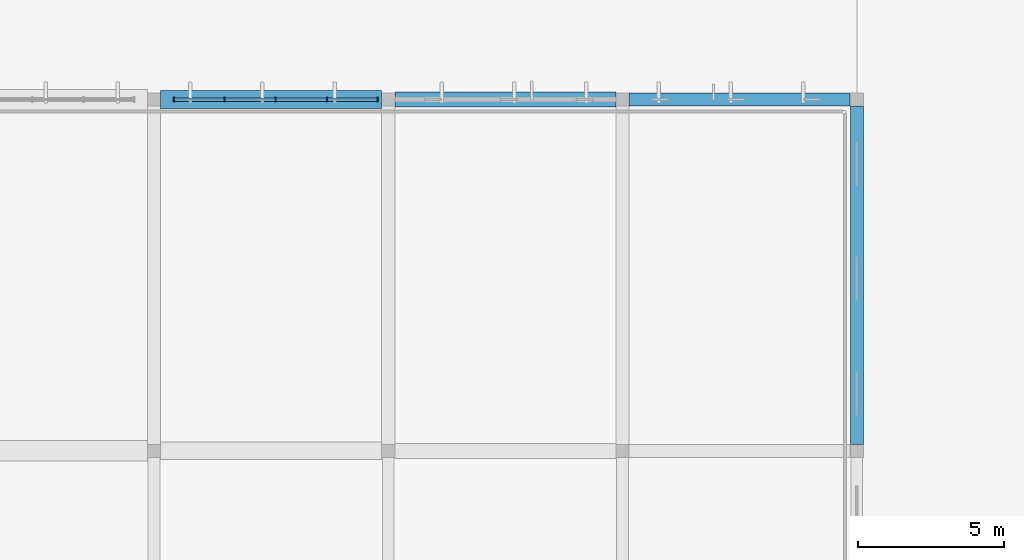
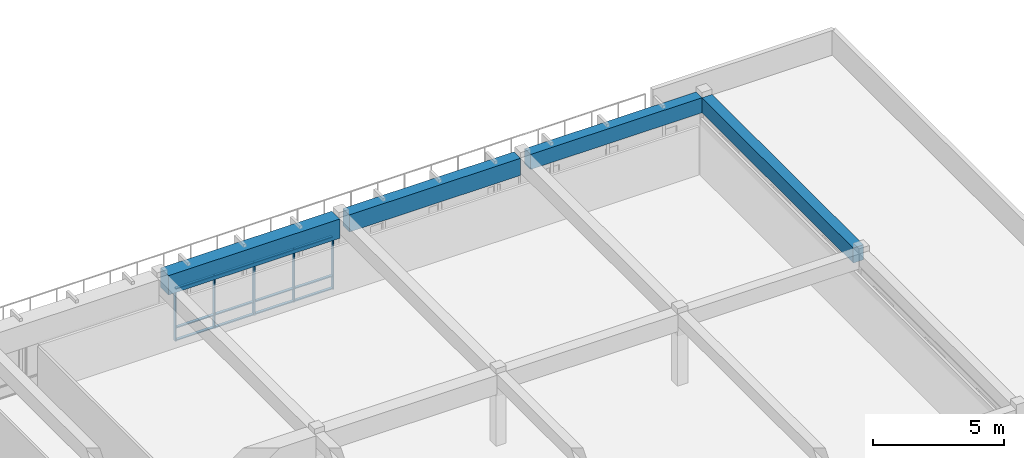
# One storey, part 27 of 77: 17 members, 4 beams, 1 element without a shape of its own.
"""IFC4 building model written with IfcOpenShell, lengths in metres."""

from ifc_helpers import new_model, si_unit, direction, frame, origin, origin_2d, place, context, subcontext, project, spatial, rectangle, extrude, material, material_profile, profile_set, type_object, element, aggregate, save


model = new_model("IFC4")

# Units and contexts
model_context = context("Model", 3, precision=1e-05, world=origin(), true_north=direction((0.0, 1.0)))
body_context = subcontext(model_context, "Body", "Model", "MODEL_VIEW")
ifc_project = project(units=[si_unit("LENGTHUNIT", "METRE"), si_unit("AREAUNIT", "SQUARE_METRE"), si_unit("VOLUMEUNIT", "CUBIC_METRE"), si_unit("PLANEANGLEUNIT", "RADIAN"), si_unit("MASSUNIT", "GRAM", prefix="KILO")], contexts=[model_context])

# Site, building, storey
site_placement = place(None, origin())
site = spatial("IfcSite", under=ifc_project, at=site_placement, CompositionType="ELEMENT")
building_placement = place(site_placement, origin())
building = spatial("IfcBuilding", under=site, at=building_placement, Name="Larkveld Mobility Hub", CompositionType="ELEMENT")
storey_placement = place(building_placement, frame((0.0, 0.0, 12.0)))
storey = spatial("IfcBuildingStorey", under=building, at=storey_placement, Name="L03", CompositionType="ELEMENT", Elevation=12.0)

# Beams
ifc_material_1 = material(Name="Concrete C40/50", Category="concrete")
ifc_material_profile_1 = material_profile(ifc_material_1, rectangle(XDim=0.449951171875, YDim=0.699951171875, at=origin_2d()), Name="RC BM 450x700")
ifc_profile_set_1 = profile_set([ifc_material_profile_1], Name="Concrete C40/50")
beam_type_1 = type_object("IfcBeamType", Name="BM-RC4570", PredefinedType="BEAM", material=ifc_profile_set_1)
beam_1_placement = place(storey_placement, frame((80.22509765625, 122.0, 3.010009765625), z_axis=(1.0, 0.0, 0.0), x_axis=(0.0, 1.0, 0.0)))
element("IfcBeam", 1, at=beam_1_placement, inside=storey, type_object=beam_type_1, Name="Primary E-W Girder L03-0770", PredefinedType="BEAM", context=body_context, shape_type="SweptSolid", body=[
    extrude(rectangle(XDim=0.449951171875, YDim=0.699951171875, at=origin_2d()), origin(), (0.0, 0.0, 1.0), 7.5498046875),
])
beam_2_placement = place(storey_placement, frame((88.0, 110.22509765625, 3.010009765625), z_axis=(0.0, 1.0, 0.0), x_axis=(-1.0, 0.0, 0.0)))
element("IfcBeam", 2, at=beam_2_placement, inside=storey, type_object=beam_type_1, Name="Primary N-S Girder L03-0790", PredefinedType="BEAM", context=body_context, shape_type="SweptSolid", body=[
    extrude(rectangle(XDim=0.449951171875, YDim=0.699951171875, at=origin_2d()), origin(), (0.0, 0.0, 1.0), 11.5498046875),
])
ifc_material_profile_2 = material_profile(ifc_material_1, rectangle(XDim=0.5, YDim=0.800048828125, at=origin_2d()), Name="RC BM 500x800")
ifc_profile_set_2 = profile_set([ifc_material_profile_2], Name="Concrete C40/50")
beam_type_2 = type_object("IfcBeamType", Name="BM-RC5080", PredefinedType="BEAM", material=ifc_profile_set_2)
beam_3_placement = place(storey_placement, frame((72.22509765625, 122.0, 2.9599609375), z_axis=(1.0, 0.0, 0.0), x_axis=(0.0, 1.0, 0.0)))
element("IfcBeam", 3, at=beam_3_placement, inside=storey, type_object=beam_type_2, Name="Primary E-W Girder L03-0769", PredefinedType="BEAM", context=body_context, shape_type="SweptSolid", body=[
    extrude(rectangle(XDim=0.5, YDim=0.800048828125, at=origin_2d()), origin(), (0.0, 0.0, 1.0), 7.5498046875),
])
ifc_material_profile_3 = material_profile(ifc_material_1, rectangle(XDim=0.60009765625, YDim=0.89990234375, at=origin_2d()), Name="RC BM 600x900")
ifc_profile_set_3 = profile_set([ifc_material_profile_3], Name="Concrete C40/50")
beam_type_3 = type_object("IfcBeamType", Name="BM-RC6090", PredefinedType="BEAM", material=ifc_profile_set_3)
beam_4_placement = place(storey_placement, frame((64.22509765625, 122.0, 2.909912109375), z_axis=(1.0, 0.0, 0.0), x_axis=(0.0, 1.0, 0.0)))
element("IfcBeam", 4, at=beam_4_placement, inside=storey, type_object=beam_type_3, Name="Primary E-W Girder L03-0768", PredefinedType="BEAM", context=body_context, shape_type="SweptSolid", body=[
    extrude(rectangle(XDim=0.60009765625, YDim=0.89990234375, at=origin_2d()), origin(), (0.0, 0.0, 1.0), 7.5498046875),
])

# Curtain wall, members
ifc_material_2 = material(Name="Anodised aluminium 6063-T6", Category="aluminium")
curtain_wall_type = type_object("IfcCurtainWallType", Name="CW-SYS-05", PredefinedType="NOTDEFINED", material=ifc_material_2)
curtain_wall_placement = place(storey_placement, origin())
curtain_wall = element("IfcCurtainWall", 5, at=curtain_wall_placement, inside=storey, type_object=curtain_wall_type, Name="Bicycle Hall North Curtain Wall L03 CW-089", PredefinedType="NOTDEFINED")
ifc_material_profile_4 = material_profile(ifc_material_2, rectangle(XDim=0.050048828125, YDim=0.14990234375, at=origin_2d()), Name="ALU MULL 50x150")
ifc_profile_set_4 = profile_set([ifc_material_profile_4], Name="Anodised aluminium 6063-T6")
member_type_1 = type_object("IfcMemberType", Name="CW-MUL-01", PredefinedType="MULLION", material=ifc_profile_set_4)
member_1_placement = place(storey_placement, frame((71.625, 122.0, -0.001953125), z_axis=(0.0, 0.0, 1.0), x_axis=(-1.0, 0.0, 0.0)))
member_1 = element("IfcMember", 6, at=member_1_placement, type_object=member_type_1, Name="CW05 mullion 1", PredefinedType="MULLION", context=body_context, shape_type="SweptSolid", body=[
    extrude(rectangle(XDim=0.050048828125, YDim=0.14990234375, at=origin_2d()), origin(), (0.0, 0.0, 1.0), 2.4619140625),
])
member_2_placement = place(storey_placement, frame((69.904052734375, 122.0, -0.001953125), z_axis=(0.0, 0.0, 1.0), x_axis=(-1.0, 0.0, 0.0)))
member_2 = element("IfcMember", 7, at=member_2_placement, type_object=member_type_1, Name="CW05 mullion 2", PredefinedType="MULLION", context=body_context, shape_type="SweptSolid", body=[
    extrude(rectangle(XDim=0.050048828125, YDim=0.14990234375, at=origin_2d()), origin(), (0.0, 0.0, 1.0), 2.4619140625),
])
member_3_placement = place(storey_placement, frame((68.156982421875, 122.0, -0.001953125), z_axis=(0.0, 0.0, 1.0), x_axis=(-1.0, 0.0, 0.0)))
member_3 = element("IfcMember", 8, at=member_3_placement, type_object=member_type_1, Name="CW05 mullion 3", PredefinedType="MULLION", context=body_context, shape_type="SweptSolid", body=[
    extrude(rectangle(XDim=0.050048828125, YDim=0.14990234375, at=origin_2d()), origin(), (0.0, 0.0, 1.0), 2.4619140625),
])
member_4_placement = place(storey_placement, frame((66.410888671875, 122.0, -0.001953125), z_axis=(0.0, 0.0, 1.0), x_axis=(-1.0, 0.0, 0.0)))
member_4 = element("IfcMember", 9, at=member_4_placement, type_object=member_type_1, Name="CW05 mullion 4", PredefinedType="MULLION", context=body_context, shape_type="SweptSolid", body=[
    extrude(rectangle(XDim=0.050048828125, YDim=0.14990234375, at=origin_2d()), origin(), (0.0, 0.0, 1.0), 2.4619140625),
])
member_5_placement = place(storey_placement, frame((64.68994140625, 122.0, -0.001953125), z_axis=(0.0, 0.0, 1.0), x_axis=(-1.0, 0.0, 0.0)))
member_5 = element("IfcMember", 10, at=member_5_placement, type_object=member_type_1, Name="CW05 mullion 5", PredefinedType="MULLION", context=body_context, shape_type="SweptSolid", body=[
    extrude(rectangle(XDim=0.050048828125, YDim=0.14990234375, at=origin_2d()), origin(), (0.0, 0.0, 1.0), 2.4619140625),
])
ifc_material_profile_5 = material_profile(ifc_material_2, rectangle(XDim=0.1201171875, YDim=0.050048828125, at=origin_2d()), Name="ALU TRAN 50x120")
ifc_profile_set_5 = profile_set([ifc_material_profile_5], Name="Anodised aluminium 6063-T6")
member_type_2 = type_object("IfcMemberType", Name="CW-TRN-01", PredefinedType="USERDEFINED", material=ifc_profile_set_5)
member_6_placement = place(storey_placement, frame((71.614990234375, 122.0, 0.030029296875), z_axis=(-1.0, 0.0, 0.0), x_axis=(0.0, -1.0, 0.0)))
member_6 = element("IfcMember", 11, at=member_6_placement, type_object=member_type_2, Name="CW05 transom 1.1", ObjectType="TRANSOM", PredefinedType="USERDEFINED", context=body_context, shape_type="SweptSolid", body=[
    extrude(rectangle(XDim=0.1201171875, YDim=0.050048828125, at=origin_2d()), origin(), (0.0, 0.0, 1.0), 1.696044921875),
])
member_7_placement = place(storey_placement, frame((71.614990234375, 122.0, 0.614013671875), z_axis=(-1.0, 0.0, 0.0), x_axis=(0.0, -1.0, 0.0)))
member_7 = element("IfcMember", 12, at=member_7_placement, type_object=member_type_2, Name="CW05 transom 1.2", ObjectType="TRANSOM", PredefinedType="USERDEFINED", context=body_context, shape_type="SweptSolid", body=[
    extrude(rectangle(XDim=0.1201171875, YDim=0.050048828125, at=origin_2d()), origin(), (0.0, 0.0, 1.0), 1.696044921875),
])
member_8_placement = place(storey_placement, frame((71.614990234375, 122.0, 2.427978515625), z_axis=(-1.0, 0.0, 0.0), x_axis=(0.0, -1.0, 0.0)))
member_8 = element("IfcMember", 13, at=member_8_placement, type_object=member_type_2, Name="CW05 transom 1.3", ObjectType="TRANSOM", PredefinedType="USERDEFINED", context=body_context, shape_type="SweptSolid", body=[
    extrude(rectangle(XDim=0.1201171875, YDim=0.050048828125, at=origin_2d()), origin(), (0.0, 0.0, 1.0), 1.696044921875),
])
member_9_placement = place(storey_placement, frame((69.888916015625, 122.0, 0.030029296875), z_axis=(-1.0, 0.0, 0.0), x_axis=(0.0, -1.0, 0.0)))
member_9 = element("IfcMember", 14, at=member_9_placement, type_object=member_type_2, Name="CW05 transom 2.1", ObjectType="TRANSOM", PredefinedType="USERDEFINED", context=body_context, shape_type="SweptSolid", body=[
    extrude(rectangle(XDim=0.1201171875, YDim=0.050048828125, at=origin_2d()), origin(), (0.0, 0.0, 1.0), 1.716796875),
])
member_10_placement = place(storey_placement, frame((69.888916015625, 122.0, 0.614013671875), z_axis=(-1.0, 0.0, 0.0), x_axis=(0.0, -1.0, 0.0)))
member_10 = element("IfcMember", 15, at=member_10_placement, type_object=member_type_2, Name="CW05 transom 2.2", ObjectType="TRANSOM", PredefinedType="USERDEFINED", context=body_context, shape_type="SweptSolid", body=[
    extrude(rectangle(XDim=0.1201171875, YDim=0.050048828125, at=origin_2d()), origin(), (0.0, 0.0, 1.0), 1.716796875),
])
member_11_placement = place(storey_placement, frame((69.888916015625, 122.0, 2.427978515625), z_axis=(-1.0, 0.0, 0.0), x_axis=(0.0, -1.0, 0.0)))
member_11 = element("IfcMember", 16, at=member_11_placement, type_object=member_type_2, Name="CW05 transom 2.3", ObjectType="TRANSOM", PredefinedType="USERDEFINED", context=body_context, shape_type="SweptSolid", body=[
    extrude(rectangle(XDim=0.1201171875, YDim=0.050048828125, at=origin_2d()), origin(), (0.0, 0.0, 1.0), 1.716796875),
])
member_12_placement = place(storey_placement, frame((68.14208984375, 122.0, 0.030029296875), z_axis=(-1.0, 0.0, 0.0), x_axis=(0.0, -1.0, 0.0)))
member_12 = element("IfcMember", 17, at=member_12_placement, type_object=member_type_2, Name="CW05 transom 3.1", ObjectType="TRANSOM", PredefinedType="USERDEFINED", context=body_context, shape_type="SweptSolid", body=[
    extrude(rectangle(XDim=0.1201171875, YDim=0.050048828125, at=origin_2d()), origin(), (0.0, 0.0, 1.0), 1.716064453125),
])
member_13_placement = place(storey_placement, frame((68.14208984375, 122.0, 0.614013671875), z_axis=(-1.0, 0.0, 0.0), x_axis=(0.0, -1.0, 0.0)))
member_13 = element("IfcMember", 18, at=member_13_placement, type_object=member_type_2, Name="CW05 transom 3.2", ObjectType="TRANSOM", PredefinedType="USERDEFINED", context=body_context, shape_type="SweptSolid", body=[
    extrude(rectangle(XDim=0.1201171875, YDim=0.050048828125, at=origin_2d()), origin(), (0.0, 0.0, 1.0), 1.716064453125),
])
member_14_placement = place(storey_placement, frame((68.14208984375, 122.0, 2.427978515625), z_axis=(-1.0, 0.0, 0.0), x_axis=(0.0, -1.0, 0.0)))
member_14 = element("IfcMember", 19, at=member_14_placement, type_object=member_type_2, Name="CW05 transom 3.3", ObjectType="TRANSOM", PredefinedType="USERDEFINED", context=body_context, shape_type="SweptSolid", body=[
    extrude(rectangle(XDim=0.1201171875, YDim=0.050048828125, at=origin_2d()), origin(), (0.0, 0.0, 1.0), 1.716064453125),
])
member_15_placement = place(storey_placement, frame((66.39599609375, 122.0, 0.030029296875), z_axis=(-1.0, 0.0, 0.0), x_axis=(0.0, -1.0, 0.0)))
member_15 = element("IfcMember", 20, at=member_15_placement, type_object=member_type_2, Name="CW05 transom 4.1", ObjectType="TRANSOM", PredefinedType="USERDEFINED", context=body_context, shape_type="SweptSolid", body=[
    extrude(rectangle(XDim=0.1201171875, YDim=0.050048828125, at=origin_2d()), origin(), (0.0, 0.0, 1.0), 1.696044921875),
])
member_16_placement = place(storey_placement, frame((66.39599609375, 122.0, 0.614013671875), z_axis=(-1.0, 0.0, 0.0), x_axis=(0.0, -1.0, 0.0)))
member_16 = element("IfcMember", 21, at=member_16_placement, type_object=member_type_2, Name="CW05 transom 4.2", ObjectType="TRANSOM", PredefinedType="USERDEFINED", context=body_context, shape_type="SweptSolid", body=[
    extrude(rectangle(XDim=0.1201171875, YDim=0.050048828125, at=origin_2d()), origin(), (0.0, 0.0, 1.0), 1.696044921875),
])
member_17_placement = place(storey_placement, frame((66.39599609375, 122.0, 2.427978515625), z_axis=(-1.0, 0.0, 0.0), x_axis=(0.0, -1.0, 0.0)))
member_17 = element("IfcMember", 22, at=member_17_placement, type_object=member_type_2, Name="CW05 transom 4.3", ObjectType="TRANSOM", PredefinedType="USERDEFINED", context=body_context, shape_type="SweptSolid", body=[
    extrude(rectangle(XDim=0.1201171875, YDim=0.050048828125, at=origin_2d()), origin(), (0.0, 0.0, 1.0), 1.696044921875),
])
aggregate(curtain_wall, [member_1, member_2, member_3, member_4, member_5, member_6, member_7, member_8, member_9, member_10, member_11, member_12, member_13, member_14, member_15, member_16, member_17])

save(model, "model.ifc")
